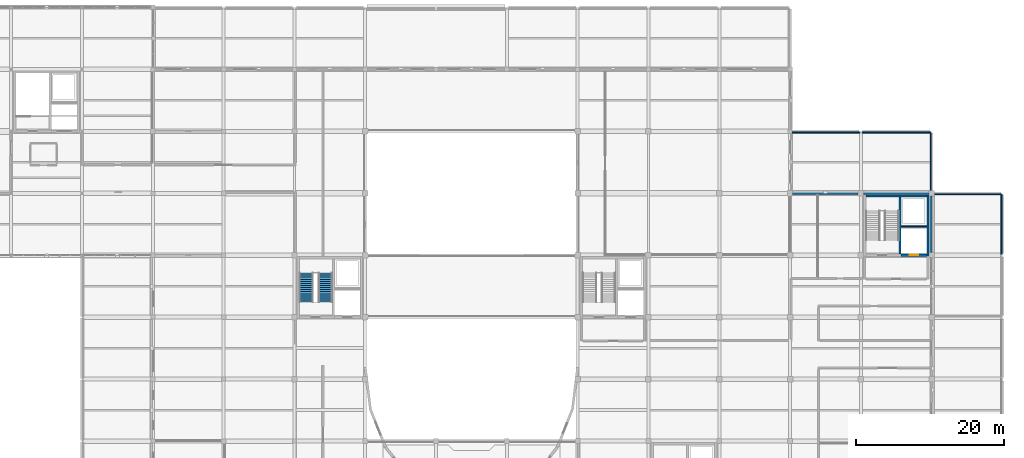
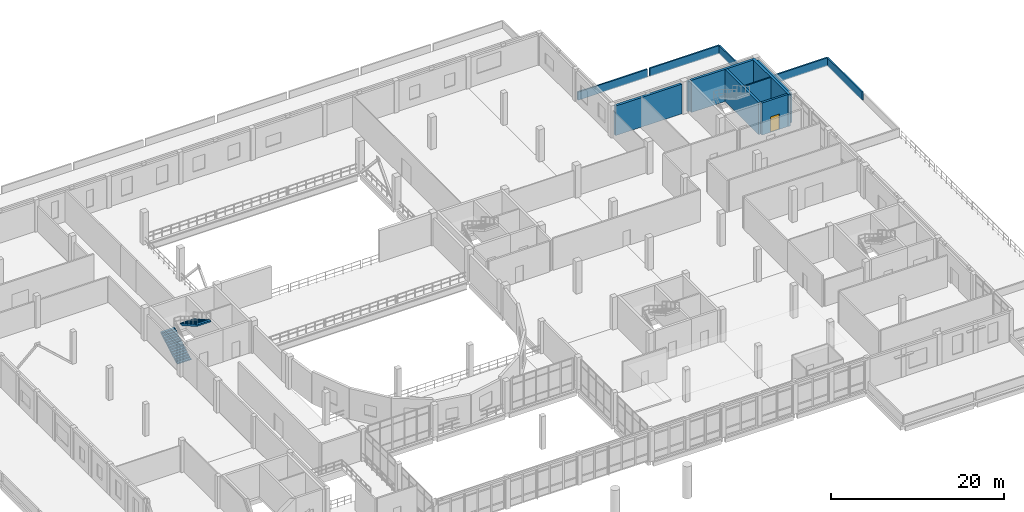
# One storey, part 80 of 88: 13 walls, 2 stair flights, 1 door, 1 opening, 1 element without a shape of its own.
"""IFC4 building model written with IfcOpenShell, lengths in metres."""

from ifc_helpers import new_model, si_unit, direction, frame, frame_2d, origin, place, context, subcontext, project, spatial, polyline, rectangle, outline, extrude, material, layer, layer_set, type_object, element, fill, aggregate, save


model = new_model("IFC4")

# Units and contexts
model_context = context("Model", 3, precision=1e-05, world=origin(), true_north=direction((0.0, 1.0)))
body_context = subcontext(model_context, "Body", "Model", "MODEL_VIEW")
ifc_project = project(units=[si_unit("LENGTHUNIT", "METRE"), si_unit("AREAUNIT", "SQUARE_METRE"), si_unit("VOLUMEUNIT", "CUBIC_METRE"), si_unit("PLANEANGLEUNIT", "RADIAN"), si_unit("MASSUNIT", "GRAM", prefix="KILO")], contexts=[model_context])

# Site, building, storey
site_placement = place(None, origin())
site = spatial("IfcSite", under=ifc_project, at=site_placement, CompositionType="ELEMENT")
building_placement = place(site_placement, origin())
building = spatial("IfcBuilding", under=site, at=building_placement, Name="Lornevale Opera House", CompositionType="ELEMENT")
storey_placement = place(building_placement, frame((0.0, 0.0, 10.199951171875)))
storey = spatial("IfcBuildingStorey", under=building, at=storey_placement, Name="L03", CompositionType="ELEMENT", Elevation=10.199951171875)

# Walls
ifc_material_1 = material(Name="Queenston Buff Limestone Ashlar Masonry (25 MPa)", Category="masonry")
ifc_layer_1 = layer(ifc_material_1, 0.324951171875)
ifc_layer_set_1 = layer_set([ifc_layer_1], Name="Queenston Buff Limestone Ashlar Masonry (25 MPa)")
wall_type_1 = type_object("IfcWallType", Name="Backstage Limestone Facade Wall 325", PredefinedType="SOLIDWALL", material=ifc_layer_set_1)
wall_1_placement = place(storey_placement, frame((125.14990234375, 75.60009765625, 0.0), z_axis=(0.0, 0.0, 1.0), x_axis=(1.0, 0.0, 0.0)))
element("IfcWall", 1, at=wall_1_placement, inside=storey, type_object=wall_type_1, Name="Backstage Limestone Facade Wall 325 WL-EXT-0242", PredefinedType="SOLIDWALL", context=body_context, shape_type="SweptSolid", body=[
    extrude(rectangle(XDim=8.875, YDim=0.324951171875, at=frame_2d((4.4375, 0.0))), origin(), (0.0, 0.0, 1.0), 4.177978515625),
])
wall_2_placement = place(storey_placement, frame((134.77490234375, 75.60009765625, 0.0), z_axis=(0.0, 0.0, 1.0), x_axis=(1.0, 0.0, 0.0)))
element("IfcWall", 2, at=wall_2_placement, inside=storey, type_object=wall_type_1, Name="Backstage Limestone Facade Wall 325 WL-EXT-0248", PredefinedType="SOLIDWALL", context=body_context, shape_type="SweptSolid", body=[
    extrude(rectangle(XDim=8.85009765625, YDim=0.324951171875, at=frame_2d((4.425048828125, 0.0))), origin(), (0.0, 0.0, 1.0), 4.2080078125),
])
wall_3_placement = place(storey_placement, frame((144.0, 75.22509765625, 0.0), z_axis=(0.0, 0.0, 1.0), x_axis=(0.0, -1.0, 0.0)))
element("IfcWall", 3, at=wall_3_placement, inside=storey, type_object=wall_type_1, Name="Backstage Limestone Facade Wall 325 WL-EXT-0249", PredefinedType="SOLIDWALL", context=body_context, shape_type="SweptSolid", body=[
    extrude(rectangle(XDim=7.650146484375, YDim=0.324951171875, at=frame_2d((3.8251953125, 0.0))), origin(), (0.0, 0.0, 1.0), 4.2080078125),
])
ifc_material_2 = material(Name="Concrete 40 MPa (CSA A23.1 C-1)", Category="concrete")
ifc_layer_2 = layer(ifc_material_2, 0.320068359375)
ifc_layer_set_2 = layer_set([ifc_layer_2], Name="Concrete 40 MPa (CSA A23.1 C-1)")
wall_type_2 = type_object("IfcWallType", Name="Core Shear Wall 320", PredefinedType="SHEAR", material=ifc_layer_set_2)
wall_4_placement = place(storey_placement, frame((143.340087890625, 75.239990234375, 0.0), z_axis=(0.0, 0.0, 1.0), x_axis=(-1.0, 0.0, 0.0)))
element("IfcWall", 4, at=wall_4_placement, inside=storey, type_object=wall_type_2, Name="Backstage Firefighter Core East Core Shear Wall 320 WL-COR-0291", PredefinedType="SHEAR", context=body_context, shape_type="SweptSolid", body=[
    extrude(rectangle(XDim=8.280029296875, YDim=0.320068359375, at=frame_2d((4.14013671875, 0.0))), origin(), (0.0, 0.0, 1.0), 4.5400390625),
])
wall_5_placement = place(storey_placement, frame((143.5, 67.0400390625, 0.0), z_axis=(0.0, 0.0, 1.0), x_axis=(0.0, 1.0, 0.0)))
element("IfcWall", 5, at=wall_5_placement, inside=storey, type_object=wall_type_2, Name="Backstage Firefighter Core East Core Shear Wall 320 WL-COR-0293", PredefinedType="SHEAR", context=body_context, shape_type="SweptSolid", body=[
    extrude(rectangle(XDim=8.35986328125, YDim=0.320068359375, at=frame_2d((4.179931640625, 0.0))), origin(), (0.0, 0.0, 1.0), 4.5400390625),
])

# Wall, opening, door
ifc_layer_3 = layer(ifc_material_2, 0.280029296875)
ifc_layer_set_3 = layer_set([ifc_layer_3], Name="Concrete 40 MPa (CSA A23.1 C-1)")
wall_type_3 = type_object("IfcWallType", Name="Elevator Shaft Wall 280", PredefinedType="SHEAR", material=ifc_layer_set_3)
wall_6_placement = place(storey_placement, frame((139.840087890625, 67.199951171875, 0.0), z_axis=(0.0, 0.0, 1.0), x_axis=(1.0, 0.0, 0.0)))
wall_6 = element("IfcWall", 6, at=wall_6_placement, inside=storey, type_object=wall_type_3, Name="Backstage Firefighter Core East Elevator Shaft Wall 280 WL-COR-0290", PredefinedType="SHEAR", context=body_context, shape_type="SweptSolid", body=[
    extrude(rectangle(XDim=3.5, YDim=0.280029296875, at=frame_2d((1.75, 0.0))), origin(), (0.0, 0.0, 1.0), 4.5400390625),
])
opening_placement = place(wall_6_placement, frame((1.159912109375, 0.0, 0.0)))
opening = element("IfcOpeningElement", 7, at=opening_placement, cuts=wall_6, Name="Opening DR-T26", PredefinedType="OPENING", context=body_context, shape_type="SweptSolid", body=[
    extrude(rectangle(XDim=1.199951171875, YDim=2.199951171875, at=frame_2d((0.60009765625, 1.10009765625))), frame((0.0, 0.14990234375, 0.0), z_axis=(0.0, -1.0, 0.0), x_axis=(1.0, 0.0, 0.0)), (0.0, 0.0, 1.0), 0.300048828125),
])
ifc_material_3 = material(Name="Painted Hollow Metal Door Steel", Category="steel")
ifc_layer_4 = layer(ifc_material_3, 2.199951171875)
ifc_layer_set_4 = layer_set([ifc_layer_4], Name="Painted Hollow Metal Door Steel")
door_type = type_object("IfcDoorType", Name="Firefighter Lift Landing Door 1200x2200", OperationType="NOTDEFINED", PredefinedType="DOOR", material=ifc_layer_set_4)
door_placement = place(opening_placement, origin())
door = element("IfcDoor", 8, at=door_placement, inside=storey, type_object=door_type, Name="L-FF2 Landing Door L03", OperationType="SLIDING_TO_RIGHT", OverallHeight=2.199951171875, OverallWidth=1.199951171875, PredefinedType="DOOR", context=body_context, shape_type="SweptSolid", body=[
    extrude(rectangle(XDim=1.199951171875, YDim=2.199951171875, at=frame_2d((0.60009765625, 1.10009765625))), frame((0.0, 0.02490234375, 0.0), z_axis=(0.0, -1.0, 0.0), x_axis=(1.0, 0.0, 0.0)), (0.0, 0.0, 1.0), 0.050048828125),
])
fill(opening, door)

# Walls
wall_7_placement = place(storey_placement, frame((139.699951171875, 67.360107421875, 0.0), z_axis=(0.0, 0.0, 1.0), x_axis=(0.0, 1.0, 0.0)))
element("IfcWall", 9, at=wall_7_placement, inside=storey, type_object=wall_type_3, Name="Backstage Firefighter Core East Elevator Shaft Wall 280 WL-COR-0294", PredefinedType="SHEAR", context=body_context, shape_type="SweptSolid", body=[
    extrude(rectangle(XDim=7.719970703125, YDim=0.280029296875, at=frame_2d((3.85986328125, 0.0))), origin(), (0.0, 0.0, 1.0), 4.5400390625),
])
ifc_material_4 = material(Name="Precast Concrete 40 MPa (CSA A23.1 C-1)", Category="concrete")
ifc_layer_5 = layer(ifc_material_4, 0.195068359375)
ifc_layer_set_5 = layer_set([ifc_layer_5], Name="Precast Concrete 40 MPa (CSA A23.1 C-1)")
wall_type_4 = type_object("IfcWallType", Name="Green Roof Parapet Wall 195", PredefinedType="PARAPET", material=ifc_layer_set_5)
wall_8_placement = place(storey_placement, frame((144.159912109375, 75.469970703125, 0.0), z_axis=(0.0, 0.0, 1.0), x_axis=(1.0, 0.0, 0.0)))
element("IfcWall", 10, at=wall_8_placement, inside=storey, type_object=wall_type_4, Name="Green Roof Parapet Wall 195 0420", PredefinedType="PARAPET", context=body_context, shape_type="SweptSolid", body=[
    extrude(rectangle(XDim=9.280029296875, YDim=0.195068359375, at=frame_2d((4.64013671875, 0.0))), origin(), (0.0, 0.0, 1.0), 1.150146484375),
])
wall_9_placement = place(storey_placement, frame((153.469970703125, 75.43994140625, 0.0), z_axis=(0.0, 0.0, 1.0), x_axis=(0.0, -1.0, 0.0)))
element("IfcWall", 11, at=wall_9_placement, inside=storey, type_object=wall_type_4, Name="Green Roof Parapet Wall 195 0421", PredefinedType="PARAPET", context=body_context, shape_type="SweptSolid", body=[
    extrude(rectangle(XDim=8.079833984375, YDim=0.195068359375, at=frame_2d((4.0400390625, 0.0))), origin(), (0.0, 0.0, 1.0), 1.150146484375),
])
for number, where, z_axis, x_axis, name in (
    (12, (124.9599609375, 83.8701171875, 0.0), (0.0, 0.0, 1.0), (1.0, 0.0, 0.0), "Green Roof Parapet Wall 195 0424"),
    (13, (134.56005859375, 83.8701171875, 0.0), (0.0, 0.0, 1.0), (1.0, 0.0, 0.0), "Green Roof Parapet Wall 195 0425"),
):
    element("IfcWall", number, at=place(storey_placement, frame(where, z_axis=z_axis, x_axis=x_axis)), inside=storey, type_object=wall_type_4, Name=name, PredefinedType="PARAPET", context=body_context, shape_type="SweptSolid", body=[
        extrude(rectangle(XDim=9.280029296875, YDim=0.195068359375, at=frame_2d((4.64013671875, 0.0))), origin(), (0.0, 0.0, 1.0), 1.150146484375),
    ])
wall_10_placement = place(storey_placement, frame((143.8701171875, 83.840087890625, 0.0), z_axis=(0.0, 0.0, 1.0), x_axis=(0.0, -1.0, 0.0)))
element("IfcWall", 14, at=wall_10_placement, inside=storey, type_object=wall_type_4, Name="Green Roof Parapet Wall 195 0426", PredefinedType="PARAPET", context=body_context, shape_type="SweptSolid", body=[
    extrude(rectangle(XDim=8.080078125, YDim=0.195068359375, at=frame_2d((4.0400390625, 0.0))), origin(), (0.0, 0.0, 1.0), 1.150146484375),
])
ifc_material_5 = material(Name="Moisture-Resistant Ceramic & Gypsum Partition", Category="gypsum")
ifc_layer_6 = layer(ifc_material_5, 0.179931640625)
ifc_layer_set_6 = layer_set([ifc_layer_6], Name="Moisture-Resistant Ceramic & Gypsum Partition")
wall_type_5 = type_object("IfcWallType", Name="Riser Shaft Wall 180", PredefinedType="SOLIDWALL", material=ifc_layer_set_6)
wall_11_placement = place(storey_placement, frame((139.840087890625, 71.10009765625, 0.0), z_axis=(0.0, 0.0, 1.0), x_axis=(1.0, 0.0, 0.0)))
element("IfcWall", 15, at=wall_11_placement, inside=storey, type_object=wall_type_5, Name="Backstage Firefighter Core East Riser Shaft Wall 180 WL-COR-0295", PredefinedType="SOLIDWALL", context=body_context, shape_type="SweptSolid", body=[
    extrude(rectangle(XDim=3.5, YDim=0.179931640625, at=frame_2d((1.75, 0.0))), origin(), (0.0, 0.0, 1.0), 4.5400390625),
])

# Stair, stair flights
ifc_material_6 = material(Name="Concrete 35 MPa (CSA A23.1 N)", Category="concrete")
ifc_layer_7 = layer(ifc_material_6, 4.800048828125)
ifc_layer_set_7 = layer_set([ifc_layer_7], Name="Concrete 35 MPa (CSA A23.1 N)")
stair_type = type_object("IfcStairType", Name="Protected Exit Stair 4800-W1840", PredefinedType="TWO_STRAIGHT_RUN_STAIR", material=ifc_layer_set_7)
stair_placement = place(storey_placement, origin())
stair = element("IfcStair", 16, at=stair_placement, inside=storey, type_object=stair_type, Name="Auditorium West Tier Core Stair ST-18 (L03-L04)", PredefinedType="TWO_STRAIGHT_RUN_STAIR")
ifc_layer_8 = layer(ifc_material_6, 0.199951171875)
ifc_layer_set_8 = layer_set([ifc_layer_8], Name="Concrete 35 MPa (CSA A23.1 N)")
stair_flight_type = type_object("IfcStairFlightType", Name="Exit Stair Flight 15R-W1840", PredefinedType="STRAIGHT", material=ifc_layer_set_8)
stair_flight_1_placement = place(storey_placement, frame((59.199951171875, 60.860107421875, 0.0), z_axis=(0.0, 0.0, 1.0), x_axis=(0.0, 1.0, 0.0)))
stair_flight_1 = element("IfcStairFlight", 17, at=stair_flight_1_placement, type_object=stair_flight_type, Name="ST-18 Lower Flight SF-035", NumberOfRisers=15, NumberOfTreads=14, PredefinedType="STRAIGHT", RiserHeight=0.16, TreadLength=0.28, context=body_context, shape_type="SweptSolid", body=[
    extrude(outline(polyline([(0.0, 0.0), (0.0, 0.159912109375), (0.280029296875, 0.159912109375), (0.280029296875, 0.320068359375), (0.56005859375, 0.320068359375), (0.56005859375, 0.47998046875), (0.840087890625, 0.47998046875), (0.840087890625, 0.639892578125), (1.1201171875, 0.639892578125), (1.1201171875, 0.800048828125), (1.39990234375, 0.800048828125), (1.39990234375, 0.9599609375), (1.679931640625, 0.9599609375), (1.679931640625, 1.1201171875), (1.9599609375, 1.1201171875), (1.9599609375, 1.280029296875), (2.239990234375, 1.280029296875), (2.239990234375, 1.43994140625), (2.52001953125, 1.43994140625), (2.52001953125, 1.60009765625), (2.800048828125, 1.60009765625), (2.800048828125, 1.760009765625), (3.080078125, 1.760009765625), (3.080078125, 1.919921875), (3.360107421875, 1.919921875), (3.360107421875, 2.080078125), (3.639892578125, 2.080078125), (3.639892578125, 2.239990234375), (3.919921875, 2.239990234375), (3.919921875, 2.009765625), (0.403076171875, 0.0), (0.0, 0.0)])), frame((0.0, 0.919921875, 0.0), z_axis=(0.0, -1.0, 0.0), x_axis=(1.0, 0.0, 0.0)), (0.0, 0.0, 1.0), 1.840087890625),
])
stair_flight_2_placement = place(storey_placement, frame((61.800048828125, 64.780029296875, 2.400146484375), z_axis=(0.0, 0.0, 1.0), x_axis=(0.0, -1.0, 0.0)))
stair_flight_2 = element("IfcStairFlight", 18, at=stair_flight_2_placement, type_object=stair_flight_type, Name="ST-18 Upper Flight SF-036", NumberOfRisers=15, NumberOfTreads=14, PredefinedType="STRAIGHT", RiserHeight=0.16, TreadLength=0.28, context=body_context, shape_type="SweptSolid", body=[
    extrude(outline(polyline([(0.0, 0.0), (0.0, 0.159912109375), (0.280029296875, 0.159912109375), (0.280029296875, 0.320068359375), (0.56005859375, 0.320068359375), (0.56005859375, 0.47998046875), (0.840087890625, 0.47998046875), (0.840087890625, 0.639892578125), (1.1201171875, 0.639892578125), (1.1201171875, 0.800048828125), (1.39990234375, 0.800048828125), (1.39990234375, 0.9599609375), (1.679931640625, 0.9599609375), (1.679931640625, 1.1201171875), (1.9599609375, 1.1201171875), (1.9599609375, 1.280029296875), (2.239990234375, 1.280029296875), (2.239990234375, 1.43994140625), (2.52001953125, 1.43994140625), (2.52001953125, 1.60009765625), (2.800048828125, 1.60009765625), (2.800048828125, 1.760009765625), (3.080078125, 1.760009765625), (3.080078125, 1.919921875), (3.360107421875, 1.919921875), (3.360107421875, 2.080078125), (3.639892578125, 2.080078125), (3.639892578125, 2.239990234375), (3.919921875, 2.239990234375), (3.919921875, 2.009765625), (0.403076171875, 0.0), (0.0, 0.0)])), frame((0.0, 0.919921875, 0.0), z_axis=(0.0, -1.0, 0.0), x_axis=(1.0, 0.0, 0.0)), (0.0, 0.0, 1.0), 1.840087890625),
])
aggregate(stair, [stair_flight_1, stair_flight_2])

save(model, "model.ifc")
